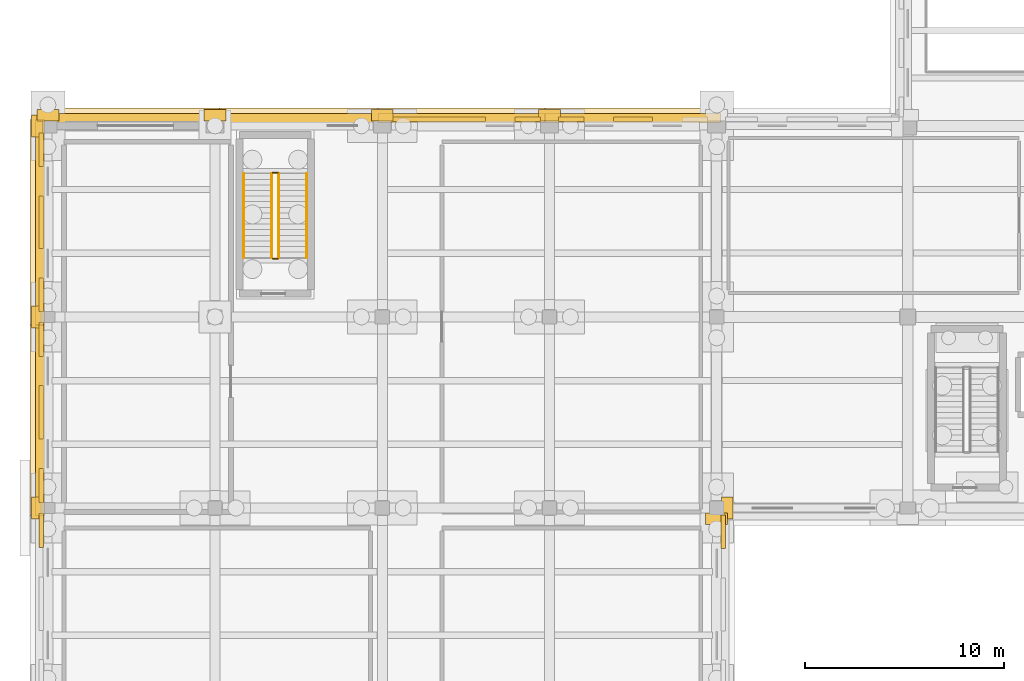
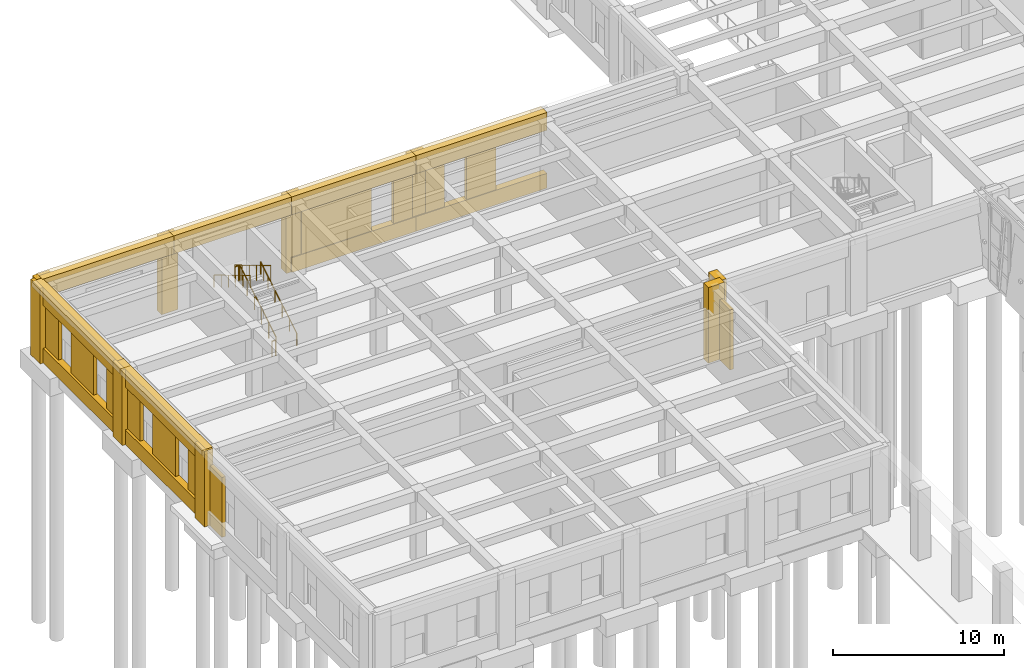
# One storey, part 43 of 51: 37 coverings, 6 railings.
"""IFC4 building model written with IfcOpenShell, lengths in metres."""

from ifc_helpers import new_model, si_unit, direction, frame, origin, origin_2d, place, context, subcontext, project, spatial, rectangle, circle, extrude, material, layer, layer_set, type_object, element, save


model = new_model("IFC4")

# Units and contexts
model_context = context("Model", 3, precision=1e-05, world=origin(), true_north=direction((0.0, 1.0)))
body_context = subcontext(model_context, "Body", "Model", "MODEL_VIEW")
ifc_project = project(units=[si_unit("LENGTHUNIT", "METRE"), si_unit("AREAUNIT", "SQUARE_METRE"), si_unit("VOLUMEUNIT", "CUBIC_METRE"), si_unit("PLANEANGLEUNIT", "RADIAN"), si_unit("MASSUNIT", "GRAM", prefix="KILO")], contexts=[model_context])

# Site, building, storey
site_placement = place(None, origin())
site = spatial("IfcSite", under=ifc_project, at=site_placement, CompositionType="ELEMENT")
building_placement = place(site_placement, origin())
building = spatial("IfcBuilding", under=site, at=building_placement, Name="Bempovik Park Faculty of Sciences", CompositionType="ELEMENT")
storey_placement = place(building_placement, origin())
storey = spatial("IfcBuildingStorey", under=building, at=storey_placement, Name="L00", CompositionType="ELEMENT", Elevation=0.0)

# Coverings
ifc_material_1 = material(Name="Precast concrete C40/50", Category="concrete")
ifc_layer_1 = layer(ifc_material_1, 0.179931640625)
ifc_layer_set_1 = layer_set([ifc_layer_1], Name="Precast concrete C40/50")
covering_type_1 = type_object("IfcCoveringType", Name="CL-02 Classical Cornice Band 180mm", PredefinedType="CLADDING", material=ifc_layer_set_1)
covering_1_placement = place(storey_placement, frame((6.669921875, 72.60009765625, 5.0400390625), z_axis=(0.0, 0.0, 1.0), x_axis=(1.0, 0.0, 0.0)))
element("IfcCovering", 1, at=covering_1_placement, inside=storey, type_object=covering_type_1, Name="L00 Classical Projecting Dentil Cornice EW-L00-5747", PredefinedType="CLADDING", context=body_context, shape_type="SweptSolid", body=[
    extrude(rectangle(XDim=0.719970703125, YDim=10.406005859375, at=origin_2d()), origin(), (0.0, 0.0, 1.0), 0.360107421875),
])
covering_2_placement = place(storey_placement, frame((6.669921875, 82.159912109375, 5.0400390625), z_axis=(0.0, 0.0, 1.0), x_axis=(1.0, 0.0, 0.0)))
element("IfcCovering", 2, at=covering_2_placement, inside=storey, type_object=covering_type_1, Name="L00 Classical Projecting Dentil Cornice EW-L00-5757", PredefinedType="CLADDING", context=body_context, shape_type="SweptSolid", body=[
    extrude(rectangle(XDim=0.719970703125, YDim=10.325927734375, at=origin_2d()), origin(), (0.0, 0.0, 1.0), 0.360107421875),
])
for number, where, z_axis, x_axis, name in (
    (3, (11.39990234375, 87.530029296875, 5.0400390625), (0.0, 0.0, 1.0), (1.0, 0.0, 0.0), "L00 Classical Projecting Dentil Cornice EW-L00-5767"),
    (4, (19.800048828125, 87.530029296875, 5.0400390625), (0.0, 0.0, 1.0), (1.0, 0.0, 0.0), "L00 Classical Projecting Dentil Cornice EW-L00-5772"),
    (5, (28.199951171875, 87.530029296875, 5.0400390625), (0.0, 0.0, 1.0), (1.0, 0.0, 0.0), "L00 Classical Projecting Dentil Cornice EW-L00-5776"),
    (6, (36.60009765625, 87.530029296875, 5.0400390625), (0.0, 0.0, 1.0), (1.0, 0.0, 0.0), "L00 Classical Projecting Dentil Cornice EW-L00-5784"),
):
    element("IfcCovering", number, at=place(storey_placement, frame(where, z_axis=z_axis, x_axis=x_axis)), inside=storey, type_object=covering_type_1, Name=name, PredefinedType="CLADDING", context=body_context, shape_type="SweptSolid", body=[
        extrude(rectangle(XDim=8.845947265625, YDim=0.719970703125, at=origin_2d()), origin(), (0.0, 0.0, 1.0), 0.360107421875),
    ])
ifc_material_2 = material(Name="White reconstituted limestone precast C40/50", Category="masonry")
ifc_layer_2 = layer(ifc_material_2, 0.239990234375)
ifc_layer_set_2 = layer_set([ifc_layer_2], Name="White reconstituted limestone precast C40/50")
covering_type_2 = type_object("IfcCoveringType", Name="CL-03 Classical Fluted Limestone Pilaster 240mm", PredefinedType="CLADDING", material=ifc_layer_set_2)
covering_3_placement = place(storey_placement, frame((40.800048828125, 67.27001953125, 0.0), z_axis=(0.0, 0.0, 1.0), x_axis=(1.0, 0.0, 0.0)))
element("IfcCovering", 7, at=covering_3_placement, inside=storey, type_object=covering_type_2, Name="L00 Classical Fluted Stone Pilaster PIL-BA-L00-408-673", PredefinedType="CLADDING", context=body_context, shape_type="SweptSolid", body=[
    extrude(rectangle(XDim=1.10009765625, YDim=0.580078125, at=origin_2d()), origin(), (0.0, 0.0, 1.0), 5.39990234375),
])
covering_4_placement = place(storey_placement, frame((41.330078125, 67.800048828125, 0.0), z_axis=(0.0, 0.0, 1.0), x_axis=(1.0, 0.0, 0.0)))
element("IfcCovering", 8, at=covering_4_placement, inside=storey, type_object=covering_type_2, Name="L00 Classical Fluted Stone Pilaster PIL-BA-L00-413-678", PredefinedType="CLADDING", context=body_context, shape_type="SweptSolid", body=[
    extrude(rectangle(XDim=0.580078125, YDim=1.10009765625, at=origin_2d()), origin(), (0.0, 0.0, 1.0), 5.39990234375),
])
covering_5_placement = place(storey_placement, frame((41.1298828125, 66.59765625, 0.0), z_axis=(0.0, 0.0, 1.0), x_axis=(1.0, 0.0, 0.0)))
element("IfcCovering", 9, at=covering_5_placement, inside=storey, type_object=covering_type_2, Name="L00 White Limestone Wall Cheek EW-L00-5677-4", PredefinedType="CLADDING", context=body_context, shape_type="SweptSolid", body=[
    extrude(rectangle(XDim=0.239990234375, YDim=1.680908203125, at=origin_2d()), origin(), (0.0, 0.0, 1.0), 4.280029296875),
])
covering_6_placement = place(storey_placement, frame((6.669921875, 67.800048828125, 0.0), z_axis=(0.0, 0.0, 1.0), x_axis=(1.0, 0.0, 0.0)))
element("IfcCovering", 10, at=covering_6_placement, inside=storey, type_object=covering_type_2, Name="L00 Classical Fluted Stone Pilaster PIL-BA-L00-67-678", PredefinedType="CLADDING", context=body_context, shape_type="SweptSolid", body=[
    extrude(rectangle(XDim=0.580078125, YDim=1.10009765625, at=origin_2d()), origin(), (0.0, 0.0, 1.0), 5.39990234375),
])
covering_7_placement = place(storey_placement, frame((6.8701171875, 66.67529296875, 0.0), z_axis=(0.0, 0.0, 1.0), x_axis=(1.0, 0.0, 0.0)))
element("IfcCovering", 11, at=covering_7_placement, inside=storey, type_object=covering_type_2, Name="L00 White Limestone Wall Cheek EW-L00-5737-4", PredefinedType="CLADDING", context=body_context, shape_type="SweptSolid", body=[
    extrude(rectangle(XDim=0.239990234375, YDim=1.705078125, at=origin_2d()), origin(), (0.0, 0.0, 1.0), 4.280029296875),
])
covering_8_placement = place(storey_placement, frame((6.81005859375, 72.60009765625, 4.1201171875), z_axis=(0.0, 0.0, 1.0), x_axis=(1.0, 0.0, 0.0)))
element("IfcCovering", 12, at=covering_8_placement, inside=storey, type_object=covering_type_2, Name="L00 Classical Limestone Spandrel Entablature EW-L00-5747", PredefinedType="CLADDING", context=body_context, shape_type="SweptSolid", body=[
    extrude(rectangle(XDim=0.43994140625, YDim=10.406005859375, at=origin_2d()), origin(), (0.0, 0.0, 1.0), 1.280029296875),
])
covering_9_placement = place(storey_placement, frame((6.81005859375, 72.60009765625, 0.0), z_axis=(0.0, 0.0, 1.0), x_axis=(1.0, 0.0, 0.0)))
element("IfcCovering", 13, at=covering_9_placement, inside=storey, type_object=covering_type_2, Name="L00 Classical Limestone Sill Dado EW-L00-5747", PredefinedType="CLADDING", context=body_context, shape_type="SweptSolid", body=[
    extrude(rectangle(XDim=0.43994140625, YDim=10.406005859375, at=origin_2d()), origin(), (0.0, 0.0, 1.0), 1.050048828125),
])
covering_10_placement = place(storey_placement, frame((6.669921875, 77.39990234375, 0.0), z_axis=(0.0, 0.0, 1.0), x_axis=(1.0, 0.0, 0.0)))
element("IfcCovering", 14, at=covering_10_placement, inside=storey, type_object=covering_type_2, Name="L00 Classical Fluted Stone Pilaster PIL-BA-L00-67-774", PredefinedType="CLADDING", context=body_context, shape_type="SweptSolid", body=[
    extrude(rectangle(XDim=0.580078125, YDim=1.10009765625, at=origin_2d()), origin(), (0.0, 0.0, 1.0), 5.39990234375),
])
covering_11_placement = place(storey_placement, frame((6.8701171875, 68.924560546875, 0.0), z_axis=(0.0, 0.0, 1.0), x_axis=(1.0, 0.0, 0.0)))
element("IfcCovering", 15, at=covering_11_placement, inside=storey, type_object=covering_type_2, Name="L00 White Limestone Wall Cheek EW-L00-5747-0", PredefinedType="CLADDING", context=body_context, shape_type="SweptSolid", body=[
    extrude(rectangle(XDim=0.239990234375, YDim=1.705078125, at=origin_2d()), origin(), (0.0, 0.0, 1.0), 4.280029296875),
])
covering_12_placement = place(storey_placement, frame((6.8701171875, 72.60009765625, 0.0), z_axis=(0.0, 0.0, 1.0), x_axis=(1.0, 0.0, 0.0)))
element("IfcCovering", 16, at=covering_12_placement, inside=storey, type_object=covering_type_2, Name="L00 White Limestone Wall Cheek EW-L00-5747-2", PredefinedType="CLADDING", context=body_context, shape_type="SweptSolid", body=[
    extrude(rectangle(XDim=0.239990234375, YDim=2.685791015625, at=origin_2d()), origin(), (0.0, 0.0, 1.0), 4.280029296875),
])
covering_13_placement = place(storey_placement, frame((6.8701171875, 76.275390625, 0.0), z_axis=(0.0, 0.0, 1.0), x_axis=(1.0, 0.0, 0.0)))
element("IfcCovering", 17, at=covering_13_placement, inside=storey, type_object=covering_type_2, Name="L00 White Limestone Wall Cheek EW-L00-5747-4", PredefinedType="CLADDING", context=body_context, shape_type="SweptSolid", body=[
    extrude(rectangle(XDim=0.239990234375, YDim=1.705078125, at=origin_2d()), origin(), (0.0, 0.0, 1.0), 4.280029296875),
])
covering_14_placement = place(storey_placement, frame((6.81005859375, 82.159912109375, 4.1201171875), z_axis=(0.0, 0.0, 1.0), x_axis=(1.0, 0.0, 0.0)))
element("IfcCovering", 18, at=covering_14_placement, inside=storey, type_object=covering_type_2, Name="L00 Classical Limestone Spandrel Entablature EW-L00-5757", PredefinedType="CLADDING", context=body_context, shape_type="SweptSolid", body=[
    extrude(rectangle(XDim=0.43994140625, YDim=10.325927734375, at=origin_2d()), origin(), (0.0, 0.0, 1.0), 1.280029296875),
])
covering_15_placement = place(storey_placement, frame((6.81005859375, 82.159912109375, 0.0), z_axis=(0.0, 0.0, 1.0), x_axis=(1.0, 0.0, 0.0)))
element("IfcCovering", 19, at=covering_15_placement, inside=storey, type_object=covering_type_2, Name="L00 Classical Limestone Sill Dado EW-L00-5757", PredefinedType="CLADDING", context=body_context, shape_type="SweptSolid", body=[
    extrude(rectangle(XDim=0.43994140625, YDim=10.325927734375, at=origin_2d()), origin(), (0.0, 0.0, 1.0), 1.050048828125),
])
covering_16_placement = place(storey_placement, frame((6.669921875, 87.0, 0.0), z_axis=(0.0, 0.0, 1.0), x_axis=(1.0, 0.0, 0.0)))
element("IfcCovering", 20, at=covering_16_placement, inside=storey, type_object=covering_type_2, Name="L00 Classical Fluted Stone Pilaster PIL-BA-L00-67-870", PredefinedType="CLADDING", context=body_context, shape_type="SweptSolid", body=[
    extrude(rectangle(XDim=0.580078125, YDim=1.10009765625, at=origin_2d()), origin(), (0.0, 0.0, 1.0), 5.39990234375),
])
covering_17_placement = place(storey_placement, frame((6.8701171875, 78.513916015625, 0.0), z_axis=(0.0, 0.0, 1.0), x_axis=(1.0, 0.0, 0.0)))
element("IfcCovering", 21, at=covering_17_placement, inside=storey, type_object=covering_type_2, Name="L00 White Limestone Wall Cheek EW-L00-5757-0", PredefinedType="CLADDING", context=body_context, shape_type="SweptSolid", body=[
    extrude(rectangle(XDim=0.239990234375, YDim=1.68359375, at=origin_2d()), origin(), (0.0, 0.0, 1.0), 4.280029296875),
])
covering_18_placement = place(storey_placement, frame((6.8701171875, 82.159912109375, 0.0), z_axis=(0.0, 0.0, 1.0), x_axis=(1.0, 0.0, 0.0)))
element("IfcCovering", 22, at=covering_18_placement, inside=storey, type_object=covering_type_2, Name="L00 White Limestone Wall Cheek EW-L00-5757-2", PredefinedType="CLADDING", context=body_context, shape_type="SweptSolid", body=[
    extrude(rectangle(XDim=0.239990234375, YDim=2.64892578125, at=origin_2d()), origin(), (0.0, 0.0, 1.0), 4.280029296875),
])
covering_19_placement = place(storey_placement, frame((6.8701171875, 85.80615234375, 0.0), z_axis=(0.0, 0.0, 1.0), x_axis=(1.0, 0.0, 0.0)))
element("IfcCovering", 23, at=covering_19_placement, inside=storey, type_object=covering_type_2, Name="L00 White Limestone Wall Cheek EW-L00-5757-4", PredefinedType="CLADDING", context=body_context, shape_type="SweptSolid", body=[
    extrude(rectangle(XDim=0.239990234375, YDim=1.68359375, at=origin_2d()), origin(), (0.0, 0.0, 1.0), 4.280029296875),
])
covering_20_placement = place(storey_placement, frame((11.39990234375, 87.389892578125, 4.1201171875), z_axis=(0.0, 0.0, 1.0), x_axis=(1.0, 0.0, 0.0)))
element("IfcCovering", 24, at=covering_20_placement, inside=storey, type_object=covering_type_2, Name="L00 Classical Limestone Spandrel Entablature EW-L00-5767", PredefinedType="CLADDING", context=body_context, shape_type="SweptSolid", body=[
    extrude(rectangle(XDim=8.845947265625, YDim=0.43994140625, at=origin_2d()), origin(), (0.0, 0.0, 1.0), 1.280029296875),
])
for number, where, z_axis, x_axis, name in (
    (25, (7.199951171875, 87.530029296875, 0.0), (0.0, 0.0, 1.0), (1.0, 0.0, 0.0), "L00 Classical Fluted Stone Pilaster PIL-BA-L00-72-875"),
    (26, (15.60009765625, 87.530029296875, 0.0), (0.0, 0.0, 1.0), (1.0, 0.0, 0.0), "L00 Classical Fluted Stone Pilaster PIL-BA-L00-156-875"),
):
    element("IfcCovering", number, at=place(storey_placement, frame(where, z_axis=z_axis, x_axis=x_axis)), inside=storey, type_object=covering_type_2, Name=name, PredefinedType="CLADDING", context=body_context, shape_type="SweptSolid", body=[
        extrude(rectangle(XDim=1.10009765625, YDim=0.580078125, at=origin_2d()), origin(), (0.0, 0.0, 1.0), 5.39990234375),
    ])
covering_21_placement = place(storey_placement, frame((19.800048828125, 87.389892578125, 4.1201171875), z_axis=(0.0, 0.0, 1.0), x_axis=(1.0, 0.0, 0.0)))
element("IfcCovering", 27, at=covering_21_placement, inside=storey, type_object=covering_type_2, Name="L00 Classical Limestone Spandrel Entablature EW-L00-5772", PredefinedType="CLADDING", context=body_context, shape_type="SweptSolid", body=[
    extrude(rectangle(XDim=8.845947265625, YDim=0.43994140625, at=origin_2d()), origin(), (0.0, 0.0, 1.0), 1.280029296875),
])
covering_22_placement = place(storey_placement, frame((24.0, 87.530029296875, 0.0), z_axis=(0.0, 0.0, 1.0), x_axis=(1.0, 0.0, 0.0)))
element("IfcCovering", 28, at=covering_22_placement, inside=storey, type_object=covering_type_2, Name="L00 Classical Fluted Stone Pilaster PIL-BA-L00-240-875", PredefinedType="CLADDING", context=body_context, shape_type="SweptSolid", body=[
    extrude(rectangle(XDim=1.10009765625, YDim=0.580078125, at=origin_2d()), origin(), (0.0, 0.0, 1.0), 5.39990234375),
])
covering_23_placement = place(storey_placement, frame((28.199951171875, 87.389892578125, 4.1201171875), z_axis=(0.0, 0.0, 1.0), x_axis=(1.0, 0.0, 0.0)))
element("IfcCovering", 29, at=covering_23_placement, inside=storey, type_object=covering_type_2, Name="L00 Classical Limestone Spandrel Entablature EW-L00-5776", PredefinedType="CLADDING", context=body_context, shape_type="SweptSolid", body=[
    extrude(rectangle(XDim=8.845947265625, YDim=0.43994140625, at=origin_2d()), origin(), (0.0, 0.0, 1.0), 1.280029296875),
])
covering_24_placement = place(storey_placement, frame((28.199951171875, 87.389892578125, 0.0), z_axis=(0.0, 0.0, 1.0), x_axis=(1.0, 0.0, 0.0)))
element("IfcCovering", 30, at=covering_24_placement, inside=storey, type_object=covering_type_2, Name="L00 Classical Limestone Sill Dado EW-L00-5776", PredefinedType="CLADDING", context=body_context, shape_type="SweptSolid", body=[
    extrude(rectangle(XDim=8.845947265625, YDim=0.43994140625, at=origin_2d()), origin(), (0.0, 0.0, 1.0), 1.050048828125),
])
covering_25_placement = place(storey_placement, frame((32.39990234375, 87.530029296875, 0.0), z_axis=(0.0, 0.0, 1.0), x_axis=(1.0, 0.0, 0.0)))
element("IfcCovering", 31, at=covering_25_placement, inside=storey, type_object=covering_type_2, Name="L00 Classical Fluted Stone Pilaster PIL-BA-L00-324-875", PredefinedType="CLADDING", context=body_context, shape_type="SweptSolid", body=[
    extrude(rectangle(XDim=1.10009765625, YDim=0.580078125, at=origin_2d()), origin(), (0.0, 0.0, 1.0), 5.39990234375),
])
covering_26_placement = place(storey_placement, frame((26.818115234375, 87.330078125, 0.0), z_axis=(0.0, 0.0, 1.0), x_axis=(1.0, 0.0, 0.0)))
element("IfcCovering", 32, at=covering_26_placement, inside=storey, type_object=covering_type_2, Name="L00 White Limestone Wall Cheek EW-L00-5776-0", PredefinedType="CLADDING", context=body_context, shape_type="SweptSolid", body=[
    extrude(rectangle(XDim=4.732177734375, YDim=0.239990234375, at=origin_2d()), origin(), (0.0, 0.0, 1.0), 4.280029296875),
])
covering_27_placement = place(storey_placement, frame((31.30615234375, 87.330078125, 0.0), z_axis=(0.0, 0.0, 1.0), x_axis=(1.0, 0.0, 0.0)))
element("IfcCovering", 33, at=covering_27_placement, inside=storey, type_object=covering_type_2, Name="L00 White Limestone Wall Cheek EW-L00-5776-2", PredefinedType="CLADDING", context=body_context, shape_type="SweptSolid", body=[
    extrude(rectangle(XDim=1.283935546875, YDim=0.239990234375, at=origin_2d()), origin(), (0.0, 0.0, 1.0), 4.280029296875),
])
covering_28_placement = place(storey_placement, frame((36.60009765625, 87.389892578125, 4.1201171875), z_axis=(0.0, 0.0, 1.0), x_axis=(1.0, 0.0, 0.0)))
element("IfcCovering", 34, at=covering_28_placement, inside=storey, type_object=covering_type_2, Name="L00 Classical Limestone Spandrel Entablature EW-L00-5784", PredefinedType="CLADDING", context=body_context, shape_type="SweptSolid", body=[
    extrude(rectangle(XDim=8.845947265625, YDim=0.43994140625, at=origin_2d()), origin(), (0.0, 0.0, 1.0), 1.280029296875),
])
covering_29_placement = place(storey_placement, frame((36.60009765625, 87.389892578125, 0.0), z_axis=(0.0, 0.0, 1.0), x_axis=(1.0, 0.0, 0.0)))
element("IfcCovering", 35, at=covering_29_placement, inside=storey, type_object=covering_type_2, Name="L00 Classical Limestone Sill Dado EW-L00-5784", PredefinedType="CLADDING", context=body_context, shape_type="SweptSolid", body=[
    extrude(rectangle(XDim=8.845947265625, YDim=0.43994140625, at=origin_2d()), origin(), (0.0, 0.0, 1.0), 1.050048828125),
])
covering_30_placement = place(storey_placement, frame((33.493896484375, 87.330078125, 0.0), z_axis=(0.0, 0.0, 1.0), x_axis=(1.0, 0.0, 0.0)))
element("IfcCovering", 36, at=covering_30_placement, inside=storey, type_object=covering_type_2, Name="L00 White Limestone Wall Cheek EW-L00-5784-0", PredefinedType="CLADDING", context=body_context, shape_type="SweptSolid", body=[
    extrude(rectangle(XDim=1.283935546875, YDim=0.239990234375, at=origin_2d()), origin(), (0.0, 0.0, 1.0), 4.280029296875),
])
covering_31_placement = place(storey_placement, frame((36.60009765625, 87.330078125, 0.0), z_axis=(0.0, 0.0, 1.0), x_axis=(1.0, 0.0, 0.0)))
element("IfcCovering", 37, at=covering_31_placement, inside=storey, type_object=covering_type_2, Name="L00 White Limestone Wall Cheek EW-L00-5784-2", PredefinedType="CLADDING", context=body_context, shape_type="SweptSolid", body=[
    extrude(rectangle(XDim=1.96826171875, YDim=0.239990234375, at=origin_2d()), origin(), (0.0, 0.0, 1.0), 4.280029296875),
])

# Railings
ifc_material_3 = material(Name="Anodised architectural bronze")
railing_type_1 = type_object("IfcRailingType", Name="GR-01 Guardrail 1120mm", PredefinedType="GUARDRAIL", material=ifc_material_3)
railing_1_placement = place(storey_placement, frame((18.800048828125, 80.375, 0.168701171875)))
element("IfcRailing", 38, at=railing_1_placement, inside=storey, type_object=railing_type_1, Name="L00 ST-3 Stair Guard 1", PredefinedType="GUARDRAIL", context=body_context, shape_type="SweptSolid", body=[
    extrude(circle(Radius=0.02392578125, at=origin_2d()), frame((0.0, 0.0, 1.09619140625), z_axis=(0.0, 0.857492925713, 0.514495755428), x_axis=(-1.0, 0.0, 0.0)), (0.0, 0.0, 1.0), 4.919921875),
    extrude(circle(Radius=0.02099609375, at=origin_2d()), origin(), (0.0, 0.0, 1.0), 1.072021484375),
    extrude(circle(Radius=0.02099609375, at=origin_2d()), frame((0.0, 0.84375, 0.50634765625)), (0.0, 0.0, 1.0), 1.072021484375),
    extrude(circle(Radius=0.02099609375, at=origin_2d()), frame((0.0, 1.6875, 1.012451171875)), (0.0, 0.0, 1.0), 1.072021484375),
    extrude(circle(Radius=0.02099609375, at=origin_2d()), frame((0.0, 2.53125, 1.518798828125)), (0.0, 0.0, 1.0), 1.072021484375),
    extrude(circle(Radius=0.02099609375, at=origin_2d()), frame((0.0, 3.375, 2.02490234375)), (0.0, 0.0, 1.0), 1.072021484375),
    extrude(circle(Radius=0.02099609375, at=origin_2d()), frame((0.0, 4.21875, 2.53125)), (0.0, 0.0, 1.0), 1.072021484375),
])
railing_2_placement = place(storey_placement, frame((18.75, 84.643798828125, 2.699951171875)))
element("IfcRailing", 39, at=railing_2_placement, inside=storey, type_object=railing_type_1, Name="L00 ST-3 Stair Guard 2", PredefinedType="GUARDRAIL", context=body_context, shape_type="SweptSolid", body=[
    extrude(circle(Radius=0.02392578125, at=origin_2d()), frame((0.0, 0.0, 1.09619140625), z_axis=(-1.0, 0.0, 0.0), x_axis=(0.0, -1.0, 0.0)), (0.0, 0.0, 1.0), 0.25),
    extrude(circle(Radius=0.02099609375, at=origin_2d()), origin(), (0.0, 0.0, 1.0), 1.072021484375),
    extrude(circle(Radius=0.02099609375, at=origin_2d()), frame((-0.25, 0.0, 0.0)), (0.0, 0.0, 1.0), 1.072021484375),
])
railing_3_placement = place(storey_placement, frame((18.449951171875, 84.59375, 2.86865234375)))
element("IfcRailing", 40, at=railing_3_placement, inside=storey, type_object=railing_type_1, Name="L00 ST-3 Stair Guard 3", PredefinedType="GUARDRAIL", context=body_context, shape_type="SweptSolid", body=[
    extrude(circle(Radius=0.02392578125, at=origin_2d()), frame((0.0, 0.0, 1.09619140625), z_axis=(0.0, -0.857492925713, 0.514495755428), x_axis=(1.0, 0.0, 0.0)), (0.0, 0.0, 1.0), 4.919921875),
    extrude(circle(Radius=0.02099609375, at=origin_2d()), origin(), (0.0, 0.0, 1.0), 1.072021484375),
    extrude(circle(Radius=0.02099609375, at=origin_2d()), frame((0.0, -0.84375, 0.50634765625)), (0.0, 0.0, 1.0), 1.072021484375),
    extrude(circle(Radius=0.02099609375, at=origin_2d()), frame((0.0, -1.6875, 1.012451171875)), (0.0, 0.0, 1.0), 1.072021484375),
    extrude(circle(Radius=0.02099609375, at=origin_2d()), frame((0.0, -2.53125, 1.518798828125)), (0.0, 0.0, 1.0), 1.072021484375),
    extrude(circle(Radius=0.02099609375, at=origin_2d()), frame((0.0, -3.375, 2.02490234375)), (0.0, 0.0, 1.0), 1.072021484375),
    extrude(circle(Radius=0.02099609375, at=origin_2d()), frame((0.0, -4.21875, 2.53125)), (0.0, 0.0, 1.0), 1.072021484375),
])
railing_4_placement = place(storey_placement, frame((18.75, 80.324951171875, 0.0)))
element("IfcRailing", 41, at=railing_4_placement, inside=storey, type_object=railing_type_1, Name="L00 ST-3 Stair Guard 4", PredefinedType="GUARDRAIL", context=body_context, shape_type="SweptSolid", body=[
    extrude(circle(Radius=0.02392578125, at=origin_2d()), frame((0.0, 0.0, 1.09619140625), z_axis=(-1.0, 0.0, 0.0), x_axis=(0.0, -1.0, 0.0)), (0.0, 0.0, 1.0), 0.25),
    extrude(circle(Radius=0.02099609375, at=origin_2d()), origin(), (0.0, 0.0, 1.0), 1.072021484375),
    extrude(circle(Radius=0.02099609375, at=origin_2d()), frame((-0.25, 0.0, 0.0)), (0.0, 0.0, 1.0), 1.072021484375),
])
railing_type_2 = type_object("IfcRailingType", Name="HR-01 Wall Handrail 900mm", PredefinedType="HANDRAIL", material=ifc_material_3)
railing_5_placement = place(storey_placement, frame((20.199951171875, 80.375, 0.168701171875)))
element("IfcRailing", 42, at=railing_5_placement, inside=storey, type_object=railing_type_2, Name="L00 ST-3 Stair Handrail 1", PredefinedType="HANDRAIL", context=body_context, shape_type="SweptSolid", body=[
    extrude(circle(Radius=0.02392578125, at=origin_2d()), frame((0.0, 0.0, 0.8759765625), z_axis=(0.0, 0.857492925713, 0.514495755428), x_axis=(-1.0, 0.0, 0.0)), (0.0, 0.0, 1.0), 4.919921875),
    extrude(circle(Radius=0.02099609375, at=origin_2d()), origin(), (0.0, 0.0, 1.0), 0.851806640625),
    extrude(circle(Radius=0.02099609375, at=origin_2d()), frame((0.0, 0.84375, 0.50634765625)), (0.0, 0.0, 1.0), 0.851806640625),
    extrude(circle(Radius=0.02099609375, at=origin_2d()), frame((0.0, 1.6875, 1.012451171875)), (0.0, 0.0, 1.0), 0.851806640625),
    extrude(circle(Radius=0.02099609375, at=origin_2d()), frame((0.0, 2.53125, 1.518798828125)), (0.0, 0.0, 1.0), 0.851806640625),
    extrude(circle(Radius=0.02099609375, at=origin_2d()), frame((0.0, 3.375, 2.02490234375)), (0.0, 0.0, 1.0), 0.851806640625),
    extrude(circle(Radius=0.02099609375, at=origin_2d()), frame((0.0, 4.21875, 2.53125)), (0.0, 0.0, 1.0), 0.851806640625),
])
railing_6_placement = place(storey_placement, frame((17.050048828125, 84.59375, 2.86865234375)))
element("IfcRailing", 43, at=railing_6_placement, inside=storey, type_object=railing_type_2, Name="L00 ST-3 Stair Handrail 2", PredefinedType="HANDRAIL", context=body_context, shape_type="SweptSolid", body=[
    extrude(circle(Radius=0.02392578125, at=origin_2d()), frame((0.0, 0.0, 0.8759765625), z_axis=(0.0, -0.857492925713, 0.514495755428), x_axis=(1.0, 0.0, 0.0)), (0.0, 0.0, 1.0), 4.919921875),
    extrude(circle(Radius=0.02099609375, at=origin_2d()), origin(), (0.0, 0.0, 1.0), 0.851806640625),
    extrude(circle(Radius=0.02099609375, at=origin_2d()), frame((0.0, -0.84375, 0.50634765625)), (0.0, 0.0, 1.0), 0.851806640625),
    extrude(circle(Radius=0.02099609375, at=origin_2d()), frame((0.0, -1.6875, 1.012451171875)), (0.0, 0.0, 1.0), 0.851806640625),
    extrude(circle(Radius=0.02099609375, at=origin_2d()), frame((0.0, -2.53125, 1.518798828125)), (0.0, 0.0, 1.0), 0.851806640625),
    extrude(circle(Radius=0.02099609375, at=origin_2d()), frame((0.0, -3.375, 2.02490234375)), (0.0, 0.0, 1.0), 0.851806640625),
    extrude(circle(Radius=0.02099609375, at=origin_2d()), frame((0.0, -4.21875, 2.53125)), (0.0, 0.0, 1.0), 0.851806640625),
])

save(model, "model.ifc")
